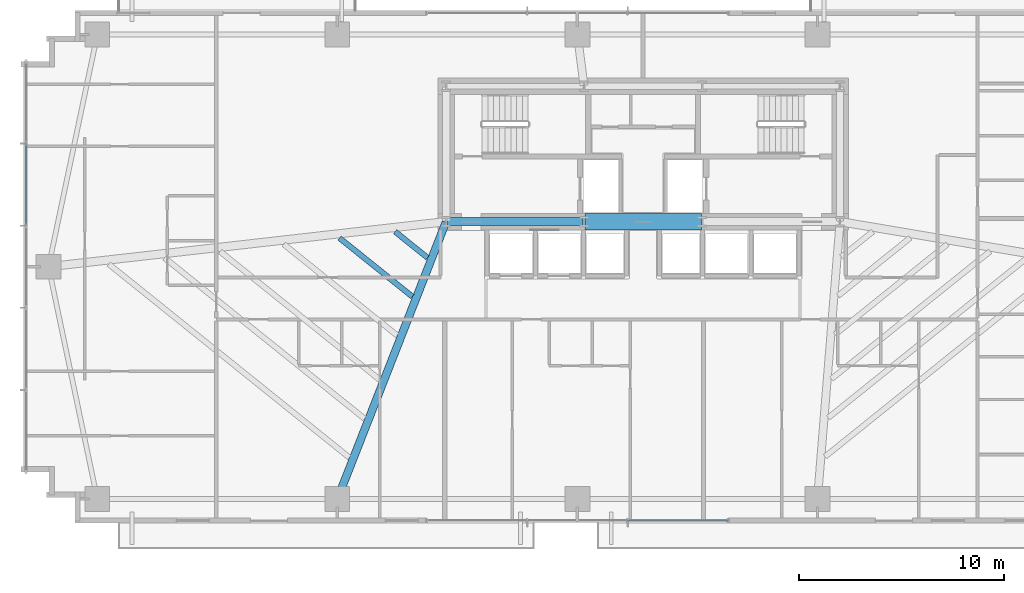
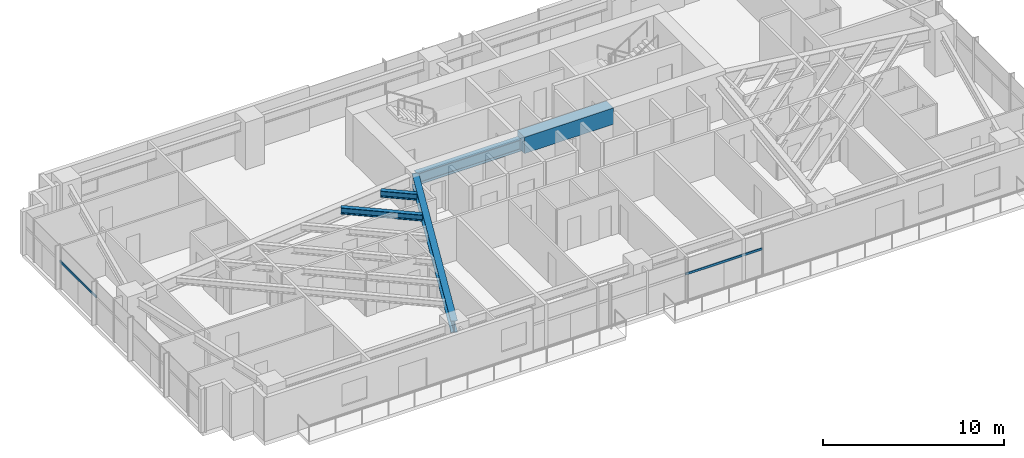
# One storey, part 7 of 25: 5 beams, 2 members, 2 elements without a shape of their own.
"""IFC4 building model written with IfcOpenShell, lengths in metres."""

import ifcopenshell
import ifcopenshell.guid

model = None  # the IFC model being written
_history = None  # IfcOwnerHistory: only IFC2X3 demands one
_inside = {}  # id of a spatial element -> (the spatial element, [elements in it])
_under = {}  # id of a project, library or spatial element -> (it, [spatial elements below it])
_declared = {}  # id of a project -> (the project, [libraries it declares])
_typed = {}  # id of a type object -> (the type object, [elements of that type])
_made_of = {}  # id of a material, layer set ... -> (it, [elements and type objects made of it])


def new_model(schema):
    """Start an empty IFC model of exactly this schema.

    Asked for "IFC4X3", IfcOpenShell would pick the latest addendum, in which some entities
    have other attributes; the version numbers below select the first issue.
    IFC2X3 requires an IfcOwnerHistory on every rooted entity: one is made here for all.
    """
    global model, _history
    if schema == "IFC4X3":
        model = ifcopenshell.file(schema_version=(4, 3, 0, 0))
    else:
        model = ifcopenshell.file(schema=schema)
    _inside.clear()
    _under.clear()
    _declared.clear()
    _typed.clear()
    _made_of.clear()
    _history = None
    if model.schema == "IFC2X3":
        org = make("IfcOrganization", Name="unknown")
        user = make(
            "IfcPersonAndOrganization",
            ThePerson=make("IfcPerson", FamilyName="unknown"),
            TheOrganization=org,
        )
        app = make(
            "IfcApplication",
            ApplicationDeveloper=org,
            Version="unknown",
            ApplicationFullName="unknown",
            ApplicationIdentifier="unknown",
        )
        _history = make(
            "IfcOwnerHistory",
            OwningUser=user,
            OwningApplication=app,
            ChangeAction="ADDED",
            CreationDate=0,
        )
    return model


def make(cls, **values):
    """One entity of the class cls with the attributes given. An attribute that is None is left unset."""
    return model.create_entity(
        cls, **{name: value for name, value in values.items() if value is not None}
    )


def rooted(cls, **values):
    """An entity with a GlobalId (a new one), such as an element, a storey or a relation."""
    return make(cls, GlobalId=ifcopenshell.guid.new(), OwnerHistory=_history, **values)


def si_unit(unit_type, name, prefix=None):
    """IfcSIUnit, for example si_unit("LENGTHUNIT", "METRE", prefix="MILLI")."""
    return make("IfcSIUnit", UnitType=unit_type, Prefix=prefix, Name=name)


def assignment(units):
    """IfcUnitAssignment: the units of a project."""
    return None if units is None else make("IfcUnitAssignment", Units=units)


def point(xyz):
    """IfcCartesianPoint."""
    return None if xyz is None else make("IfcCartesianPoint", Coordinates=xyz)


def direction(xyz):
    """IfcDirection."""
    return None if xyz is None else make("IfcDirection", DirectionRatios=xyz)


def frame(location, z_axis=None, x_axis=None):
    """IfcAxis2Placement3D, a coordinate frame: its origin and axes. An axis left out is left unset."""
    return make(
        "IfcAxis2Placement3D",
        Location=point(location),
        Axis=direction(z_axis),
        RefDirection=direction(x_axis),
    )


def frame_2d(location, x_axis=None):
    """IfcAxis2Placement2D, a coordinate frame in the plane: its origin and x axis."""
    return make(
        "IfcAxis2Placement2D", Location=point(location), RefDirection=direction(x_axis)
    )


def origin():
    """The frame at (0, 0, 0) with its axes left unset."""
    return frame((0.0, 0.0, 0.0))


def origin_2d():
    """The frame at (0, 0) in the plane with its x axis left unset."""
    return frame_2d((0.0, 0.0))


def place(relative_to, where):
    """IfcLocalPlacement: puts the frame where relative to a parent placement (None: the world)."""
    return make(
        "IfcLocalPlacement", PlacementRelTo=relative_to, RelativePlacement=where
    )


def context(
    kind, dimensions, precision=None, world=None, true_north=None, identifier=None
):
    """IfcGeometricRepresentationContext, for example the 3D "Model" context."""
    return make(
        "IfcGeometricRepresentationContext",
        ContextIdentifier=identifier,
        ContextType=kind,
        CoordinateSpaceDimension=dimensions,
        Precision=precision,
        WorldCoordinateSystem=world,
        TrueNorth=true_north,
    )


def subcontext(parent, identifier, kind, view, scale=None):
    """IfcGeometricRepresentationSubContext, for example "Body" below "Model"."""
    return make(
        "IfcGeometricRepresentationSubContext",
        ContextIdentifier=identifier,
        ContextType=kind,
        ParentContext=parent,
        TargetScale=scale,
        TargetView=view,
    )


def project(units=None, contexts=None):
    """IfcProject with its units and contexts."""
    return rooted(
        "IfcProject",
        Name="project",
        RepresentationContexts=contexts,
        UnitsInContext=assignment(units),
    )


def spatial(cls, under=None, at=None, **own):
    """A site, building, storey or space (cls), placed at a placement, below another one or the project."""
    s = rooted(cls, ObjectPlacement=at, **own)
    if under is not None:
        _under.setdefault(under.id(), (under, []))[1].append(s)
    return s


def profile(cls, at=None, kind="AREA", **sizes):
    """A parametric profile (cls). Its sizes go by their IFC names, for example OverallWidth=200.0."""
    return make(cls, ProfileType=kind, Position=at, **sizes)


def rectangle(**sizes):
    """IfcRectangleProfileDef."""
    return profile("IfcRectangleProfileDef", **sizes)


def hollow_rectangle(**sizes):
    """IfcRectangleHollowProfileDef."""
    return profile("IfcRectangleHollowProfileDef", **sizes)


def i_section(**sizes):
    """IfcIShapeProfileDef."""
    return profile("IfcIShapeProfileDef", **sizes)


def extrude(swept, where, along, depth):
    """IfcExtrudedAreaSolid: the profile swept, set in the frame where, extruded along a direction by depth."""
    return make(
        "IfcExtrudedAreaSolid",
        SweptArea=swept,
        Position=where,
        ExtrudedDirection=direction(along),
        Depth=depth,
    )


def shape(context_of_items, identifier, shape_type, items):
    """IfcShapeRepresentation: the items that make up one representation, for example the "Body"."""
    return make(
        "IfcShapeRepresentation",
        ContextOfItems=context_of_items,
        RepresentationIdentifier=identifier,
        RepresentationType=shape_type,
        Items=items,
    )


def source(mapping_origin, context_of_items, identifier, shape_type, items):
    """IfcRepresentationMap: a shape defined once, which mapped items show again and again."""
    return make(
        "IfcRepresentationMap",
        MappingOrigin=mapping_origin,
        MappedRepresentation=shape(context_of_items, identifier, shape_type, items),
    )


def transform(
    local_origin,
    x_axis=None,
    y_axis=None,
    z_axis=None,
    scale=None,
    scale2=None,
    scale3=None,
    uniform=True,
):
    """IfcCartesianTransformationOperator3D, or its non-uniform kind. x_axis, y_axis, z_axis: its Axis1, 2, 3."""
    if uniform:
        return make(
            "IfcCartesianTransformationOperator3D",
            Axis1=direction(x_axis),
            Axis2=direction(y_axis),
            LocalOrigin=point(local_origin),
            Scale=scale,
            Axis3=direction(z_axis),
        )
    return make(
        "IfcCartesianTransformationOperator3DnonUniform",
        Axis1=direction(x_axis),
        Axis2=direction(y_axis),
        LocalOrigin=point(local_origin),
        Scale=scale,
        Axis3=direction(z_axis),
        Scale2=scale2,
        Scale3=scale3,
    )


def mapped(mapping_source, mapping_target):
    """IfcMappedItem: shows the shape of a source again, moved by a transform."""
    return make(
        "IfcMappedItem", MappingSource=mapping_source, MappingTarget=mapping_target
    )


def material(Name=None, Category=None):
    """IfcMaterial."""
    return make("IfcMaterial", Name=Name, Category=Category)


def material_profile(
    of_material, cross_section, Name=None, Category=None, Priority=None
):
    """IfcMaterialProfile: a cross section and its material."""
    return make(
        "IfcMaterialProfile",
        Name=Name,
        Material=of_material,
        Profile=cross_section,
        Priority=Priority,
        Category=Category,
    )


def profile_set(profiles, Name=None, composite=None):
    """IfcMaterialProfileSet."""
    return make(
        "IfcMaterialProfileSet",
        Name=Name,
        MaterialProfiles=profiles,
        CompositeProfile=composite,
    )


def made_of(thing, what):
    """Note that an element or type object is made of a material, layer set ...; save() writes the relation."""
    if what is not None:
        _made_of.setdefault(what.id(), (what, []))[1].append(thing)
    return thing


def type_object(cls, material=None, **own):
    """A type object (cls), such as IfcWallType, which elements share."""
    return made_of(rooted(cls, **own), material)


def type_shapes(of_type, sources):
    """Give a type object the sources (RepresentationMaps) that its elements show as mapped items."""
    of_type.RepresentationMaps = sources


def element(
    cls,
    number,
    at=None,
    inside=None,
    cuts=None,
    type_object=None,
    material=None,
    context=None,
    identifier="Body",
    shape_type=None,
    held_by="IfcProductDefinitionShape",
    body=None,
    shapes=None,
    **own,
):
    """One element of the class cls, such as IfcWall. Its Tag is "e" and its number.

    at: its placement. inside: the storey or other place that contains it. cuts: it is an
    opening in that element (IfcRelVoidsElement). A single representation is given by context,
    identifier, shape_type and body (its items); several are given by shapes. held_by: the class
    of the entity that holds the representations. save() writes the other relations.
    """
    e = rooted(cls, Tag="e%d" % number, ObjectPlacement=at, **own)
    if body is not None:
        shapes = [shape(context, identifier, shape_type, body)]
    if shapes is not None:
        e.Representation = make(held_by, Representations=shapes)
    if inside is not None:
        _inside.setdefault(inside.id(), (inside, []))[1].append(e)
    if cuts is not None:
        rooted(
            "IfcRelVoidsElement", RelatingBuildingElement=cuts, RelatedOpeningElement=e
        )
    if type_object is not None:
        _typed.setdefault(type_object.id(), (type_object, []))[1].append(e)
    return made_of(e, material)


def aggregate(whole, parts):
    """IfcRelAggregates: a whole, such as a stair, and the parts it consists of."""
    return rooted("IfcRelAggregates", RelatingObject=whole, RelatedObjects=parts)


def save(model, path):
    """Write the relations noted so far, then the file.

    IfcRelAggregates (storeys below a building ...), IfcRelContainedInSpatialStructure (elements
    in a storey), IfcRelDefinesByType, IfcRelAssociatesMaterial and IfcRelDeclares: one each for
    every whole, place, type object, material and project.
    """
    for whole, parts in _under.values():
        aggregate(whole, parts)
    for where, things in _inside.values():
        rooted(
            "IfcRelContainedInSpatialStructure",
            RelatedElements=things,
            RelatingStructure=where,
        )
    for kind, things in _typed.values():
        rooted("IfcRelDefinesByType", RelatedObjects=things, RelatingType=kind)
    for what, things in _made_of.values():
        rooted("IfcRelAssociatesMaterial", RelatedObjects=things, RelatingMaterial=what)
    for by, libraries in _declared.values():
        rooted("IfcRelDeclares", RelatingContext=by, RelatedDefinitions=libraries)
    model.write(path)


model = new_model("IFC4")

# Units and contexts
model_context = context("Model", 3, precision=1e-05, world=origin(), true_north=direction((0.0, 1.0)))
body_context = subcontext(model_context, "Body", "Model", "MODEL_VIEW")
ifc_project = project(units=[si_unit("LENGTHUNIT", "METRE"), si_unit("AREAUNIT", "SQUARE_METRE"), si_unit("VOLUMEUNIT", "CUBIC_METRE"), si_unit("PLANEANGLEUNIT", "RADIAN"), si_unit("MASSUNIT", "GRAM", prefix="KILO")], contexts=[model_context])

# Site, building, storey
site_placement = place(None, origin())
site = spatial("IfcSite", under=ifc_project, at=site_placement, CompositionType="ELEMENT")
building_placement = place(site_placement, origin())
building = spatial("IfcBuilding", under=site, at=building_placement, Name="Astriad Promenade Condominiums", CompositionType="ELEMENT")
storey_placement = place(building_placement, frame((0.0, 0.0, 45.39990234375)))
storey = spatial("IfcBuildingStorey", under=building, at=storey_placement, Name="L12", CompositionType="ELEMENT", Elevation=45.39990234375)

# Beams
ifc_material_1 = material(Name="Steel ASTM A992 Grade 50", Category="steel")
ifc_material_profile_1 = material_profile(ifc_material_1, i_section(OverallWidth=0.3837890625, OverallDepth=0.785888671875, WebThickness=0.019775390625, FlangeThickness=0.033447265625, FilletRadius=0.021484375, at=origin_2d()), Name="W30X211")
ifc_profile_set_1 = profile_set([ifc_material_profile_1], Name="Steel ASTM A992 Grade 50")
beam_type_1 = type_object("IfcBeamType", Name="STEEL FLOOR GIRDER W30X211", PredefinedType="BEAM", material=ifc_profile_set_1)
shared_shape_1 = source(origin(), body_context, "Body", "SweptSolid", [
    extrude(i_section(OverallWidth=0.3837890625, OverallDepth=0.785888671875, WebThickness=0.019775390625, FlangeThickness=0.033447265625, FilletRadius=0.021484375, at=origin_2d()), origin(), (0.0, 0.0, 1.0), 6.64013671875),
])
beam_1_placement = place(storey_placement, frame((26.43994140625, 17.39990234375, 2.547119140625), z_axis=(1.0, 0.0, 0.0), x_axis=(0.0, 1.0, 0.0)))
element("IfcBeam", 1, at=beam_1_placement, inside=storey, type_object=beam_type_1, Name="Core Ring Beam CG-S1-L12", PredefinedType="BEAM", context=body_context, shape_type="MappedRepresentation", body=[
    mapped(shared_shape_1, transform((0.0, 0.0, 0.0), scale=1.0)),
])
ifc_material_2 = material(Name="Concrete C80/95", Category="concrete")
ifc_material_profile_2 = material_profile(ifc_material_2, rectangle(XDim=0.800048828125, YDim=1.10009765625, at=origin_2d()), Name="RC-BM-800X1100")
ifc_profile_set_2 = profile_set([ifc_material_profile_2], Name="Concrete C80/95")
beam_type_2 = type_object("IfcBeamType", Name="CONCRETE CORE COUPLING LINTEL 800X1100", PredefinedType="LINTEL", material=ifc_profile_set_2)
shared_shape_2 = source(origin(), body_context, "Body", "SweptSolid", [
    extrude(rectangle(XDim=0.800048828125, YDim=1.10009765625, at=origin_2d()), origin(), (0.0, 0.0, 1.0), 5.68017578125),
])
type_shapes(beam_type_2, [shared_shape_2])
beam_2_placement = place(storey_placement, frame((33.159912109375, 17.39990234375, 2.630126953125), z_axis=(1.0, 0.0, 0.0), x_axis=(0.0, 1.0, 0.0)))
element("IfcBeam", 2, at=beam_2_placement, inside=storey, type_object=beam_type_2, Name="Core Ring Beam CG-S2-L12", PredefinedType="LINTEL", context=body_context, shape_type="MappedRepresentation", body=[
    mapped(shared_shape_2, transform((0.0, 0.0, 0.0), scale=1.0)),
])
shared_shape_3 = source(origin(), body_context, "Body", "SweptSolid", [
    extrude(i_section(OverallWidth=0.3837890625, OverallDepth=0.785888671875, WebThickness=0.019775390625, FlangeThickness=0.033447265625, FilletRadius=0.021484375, at=origin_2d()), origin(), (0.0, 0.0, 1.0), 14.44189453125),
])
type_shapes(beam_type_1, [shared_shape_1, shared_shape_3])
beam_3_placement = place(storey_placement, frame((21.114501953125, 3.917236328125, 2.547119140625), z_axis=(0.364981228757, 0.931014877784, 0.0), x_axis=(-0.931014877784, 0.364981228757, 0.0)))
element("IfcBeam", 3, at=beam_3_placement, inside=storey, type_object=beam_type_1, Name="Primary Floor Girder PG-W2-L12", PredefinedType="BEAM", context=body_context, shape_type="MappedRepresentation", body=[
    mapped(shared_shape_3, transform((0.0, 0.0, 0.0), scale=1.0)),
])
ifc_material_profile_3 = material_profile(ifc_material_1, i_section(OverallWidth=0.26318359375, OverallDepth=0.425537109375, WebThickness=0.01318359375, FlangeThickness=0.022216796875, FilletRadius=0.013916015625, at=origin_2d()), Name="W16X89")
ifc_profile_set_3 = profile_set([ifc_material_profile_3], Name="Steel ASTM A992 Grade 50")
beam_type_3 = type_object("IfcBeamType", Name="STEEL FLOOR JOIST W16X89", PredefinedType="JOIST", material=ifc_profile_set_3)
shared_shape_4 = source(origin(), body_context, "Body", "SweptSolid", [
    extrude(i_section(OverallWidth=0.26318359375, OverallDepth=0.425537109375, WebThickness=0.01318359375, FlangeThickness=0.022216796875, FilletRadius=0.013916015625, at=origin_2d()), origin(), (0.0, 0.0, 1.0), 4.555419921875),
])
beam_4_placement = place(storey_placement, frame((21.201416015625, 16.600830078125, 2.727294921875), z_axis=(0.779365920634, -0.626569039894, 0.0), x_axis=(0.626569039894, 0.779365920634, 0.0)))
element("IfcBeam", 4, at=beam_4_placement, inside=storey, type_object=beam_type_3, Name="Secondary Composite Floor Joist JW1-5-L12", PredefinedType="JOIST", context=body_context, shape_type="MappedRepresentation", body=[
    mapped(shared_shape_4, transform((0.0, 0.0, 0.0), scale=1.0)),
])
shared_shape_5 = source(origin(), body_context, "Body", "SweptSolid", [
    extrude(i_section(OverallWidth=0.26318359375, OverallDepth=0.425537109375, WebThickness=0.01318359375, FlangeThickness=0.022216796875, FilletRadius=0.013916015625, at=origin_2d()), origin(), (0.0, 0.0, 1.0), 2.02587890625),
])
type_shapes(beam_type_3, [shared_shape_4, shared_shape_5])
beam_5_placement = place(storey_placement, frame((23.914794921875, 16.90869140625, 2.727294921875), z_axis=(0.779373362939, -0.626559782576, 0.0), x_axis=(0.626559782576, 0.779373362939, 0.0)))
element("IfcBeam", 5, at=beam_5_placement, inside=storey, type_object=beam_type_3, Name="Secondary Composite Floor Joist JW1-6-L12", PredefinedType="JOIST", context=body_context, shape_type="MappedRepresentation", body=[
    mapped(shared_shape_5, transform((0.0, 0.0, 0.0), scale=1.0)),
])

# Curtain wall, member
ifc_material_3 = material(Name="Anodised aluminium Black Dark Glass Unitised", Category="aluminium")
curtain_wall_type = type_object("IfcCurtainWallType", Name="CW-B1-DARK", PredefinedType="USERDEFINED", material=ifc_material_3)
curtain_wall_1_placement = place(storey_placement, origin())
curtain_wall_1 = element("IfcCurtainWall", 6, at=curtain_wall_1_placement, inside=storey, type_object=curtain_wall_type, Name="CW-L12-W", ObjectType="UNITISED_CURTAIN_WALL", PredefinedType="USERDEFINED")
ifc_material_4 = material(Name="Anodised aluminium 6063-T6 Black", Category="aluminium")
ifc_material_profile_4 = material_profile(ifc_material_4, hollow_rectangle(XDim=0.074951171875, YDim=0.14990234375, WallThickness=0.004150390625, at=origin_2d()), Name="ALU-TRN-75X150")
ifc_profile_set_4 = profile_set([ifc_material_profile_4], Name="Anodised aluminium 6063-T6 Black")
member_type = type_object("IfcMemberType", Name="TRN-ALU-TRN-75X150", PredefinedType="USERDEFINED", material=ifc_profile_set_4)
shared_shape_6 = source(origin(), body_context, "Body", "SweptSolid", [
    extrude(hollow_rectangle(XDim=0.074951171875, YDim=0.14990234375, WallThickness=0.004150390625, at=origin_2d()), origin(), (0.0, 0.0, 1.0), 4.0),
])
member_1_placement = place(storey_placement, frame((5.929931640625, 17.199951171875, 1.822998046875), z_axis=(0.0, 1.0, 0.0), x_axis=(-1.0, 0.0, 0.0)))
member_1 = element("IfcMember", 7, at=member_1_placement, type_object=member_type, Name="CW-L12-W-TRN-03-0", ObjectType="TRANSOM", PredefinedType="USERDEFINED", context=body_context, shape_type="MappedRepresentation", body=[
    mapped(shared_shape_6, transform((0.0, 0.0, 0.0), scale=1.0)),
])
aggregate(curtain_wall_1, [member_1])

curtain_wall_2_placement = place(storey_placement, origin())
curtain_wall_2 = element("IfcCurtainWall", 8, at=curtain_wall_2_placement, inside=storey, type_object=curtain_wall_type, Name="CW-L12-S", ObjectType="UNITISED_CURTAIN_WALL", PredefinedType="USERDEFINED")
shared_shape_7 = source(origin(), body_context, "Body", "SweptSolid", [
    extrude(hollow_rectangle(XDim=0.074951171875, YDim=0.14990234375, WallThickness=0.004150390625, at=origin_2d()), origin(), (0.0, 0.0, 1.0), 4.89990234375),
])
type_shapes(member_type, [shared_shape_6, shared_shape_7])
member_2_placement = place(storey_placement, frame((40.14990234375, 2.830078125, 1.822998046875), z_axis=(-1.0, 0.0, 0.0), x_axis=(0.0, -1.0, 0.0)))
member_2 = element("IfcMember", 9, at=member_2_placement, type_object=member_type, Name="CW-L12-S-TRN-00-0", ObjectType="TRANSOM", PredefinedType="USERDEFINED", context=body_context, shape_type="MappedRepresentation", body=[
    mapped(shared_shape_7, transform((0.0, 0.0, 0.0), scale=1.0)),
])
aggregate(curtain_wall_2, [member_2])

save(model, "model.ifc")
